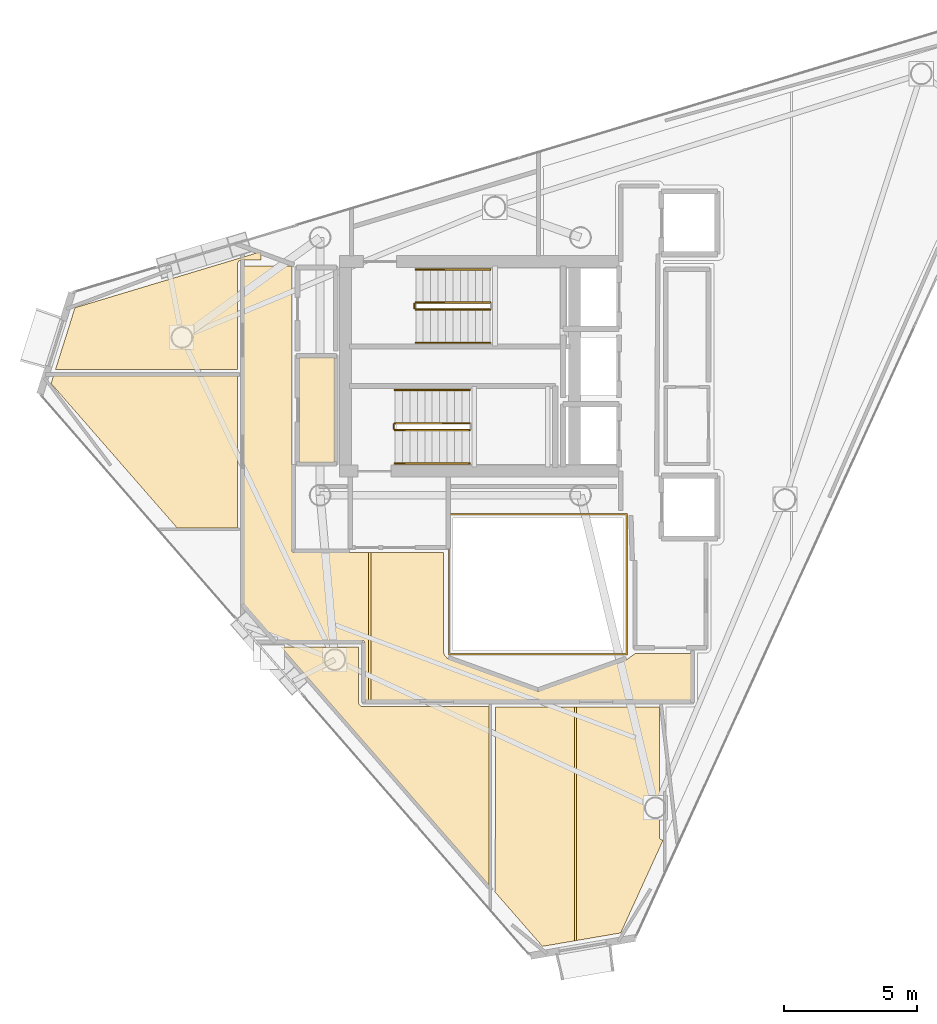
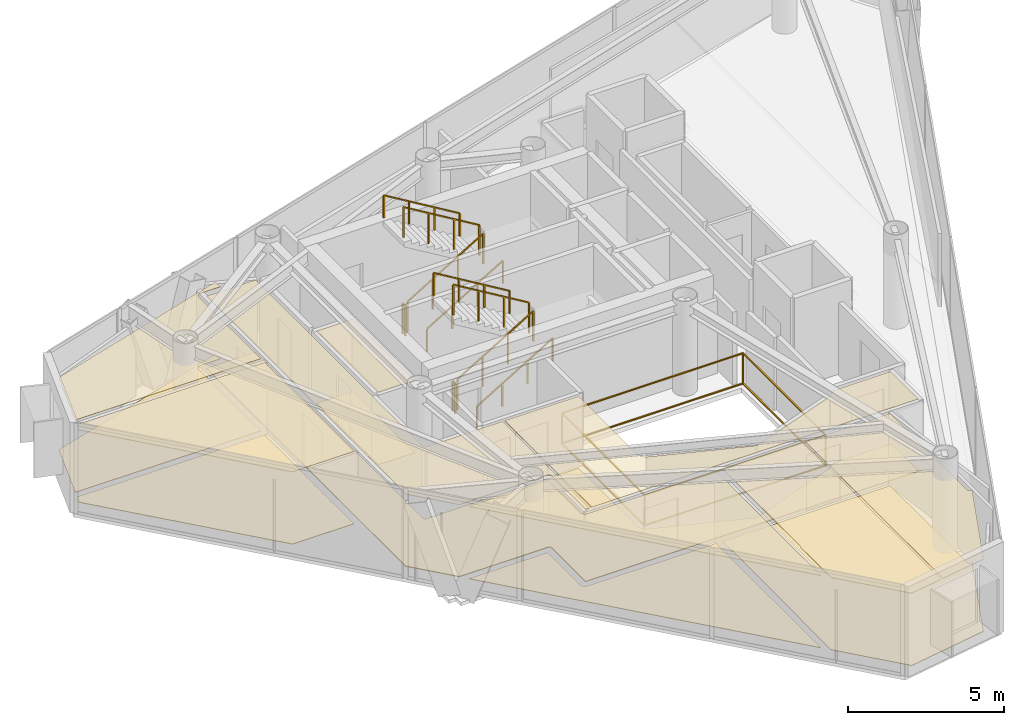
# One storey, part 18 of 19: 14 coverings, 11 railings.
"""IFC4 building model written with IfcOpenShell, lengths in metres."""

import ifcopenshell
import ifcopenshell.guid

model = None  # the IFC model being written
_history = None  # IfcOwnerHistory: only IFC2X3 demands one
_inside = {}  # id of a spatial element -> (the spatial element, [elements in it])
_under = {}  # id of a project, library or spatial element -> (it, [spatial elements below it])
_declared = {}  # id of a project -> (the project, [libraries it declares])
_typed = {}  # id of a type object -> (the type object, [elements of that type])
_made_of = {}  # id of a material, layer set ... -> (it, [elements and type objects made of it])


def new_model(schema):
    """Start an empty IFC model of exactly this schema.

    Asked for "IFC4X3", IfcOpenShell would pick the latest addendum, in which some entities
    have other attributes; the version numbers below select the first issue.
    IFC2X3 requires an IfcOwnerHistory on every rooted entity: one is made here for all.
    """
    global model, _history
    if schema == "IFC4X3":
        model = ifcopenshell.file(schema_version=(4, 3, 0, 0))
    else:
        model = ifcopenshell.file(schema=schema)
    _inside.clear()
    _under.clear()
    _declared.clear()
    _typed.clear()
    _made_of.clear()
    _history = None
    if model.schema == "IFC2X3":
        org = make("IfcOrganization", Name="unknown")
        user = make(
            "IfcPersonAndOrganization",
            ThePerson=make("IfcPerson", FamilyName="unknown"),
            TheOrganization=org,
        )
        app = make(
            "IfcApplication",
            ApplicationDeveloper=org,
            Version="unknown",
            ApplicationFullName="unknown",
            ApplicationIdentifier="unknown",
        )
        _history = make(
            "IfcOwnerHistory",
            OwningUser=user,
            OwningApplication=app,
            ChangeAction="ADDED",
            CreationDate=0,
        )
    return model


def make(cls, **values):
    """One entity of the class cls with the attributes given. An attribute that is None is left unset."""
    return model.create_entity(
        cls, **{name: value for name, value in values.items() if value is not None}
    )


def rooted(cls, **values):
    """An entity with a GlobalId (a new one), such as an element, a storey or a relation."""
    return make(cls, GlobalId=ifcopenshell.guid.new(), OwnerHistory=_history, **values)


def si_unit(unit_type, name, prefix=None):
    """IfcSIUnit, for example si_unit("LENGTHUNIT", "METRE", prefix="MILLI")."""
    return make("IfcSIUnit", UnitType=unit_type, Prefix=prefix, Name=name)


def assignment(units):
    """IfcUnitAssignment: the units of a project."""
    return None if units is None else make("IfcUnitAssignment", Units=units)


def point(xyz):
    """IfcCartesianPoint."""
    return None if xyz is None else make("IfcCartesianPoint", Coordinates=xyz)


def direction(xyz):
    """IfcDirection."""
    return None if xyz is None else make("IfcDirection", DirectionRatios=xyz)


def frame(location, z_axis=None, x_axis=None):
    """IfcAxis2Placement3D, a coordinate frame: its origin and axes. An axis left out is left unset."""
    return make(
        "IfcAxis2Placement3D",
        Location=point(location),
        Axis=direction(z_axis),
        RefDirection=direction(x_axis),
    )


def frame_2d(location, x_axis=None):
    """IfcAxis2Placement2D, a coordinate frame in the plane: its origin and x axis."""
    return make(
        "IfcAxis2Placement2D", Location=point(location), RefDirection=direction(x_axis)
    )


def origin():
    """The frame at (0, 0, 0) with its axes left unset."""
    return frame((0.0, 0.0, 0.0))


def origin_2d():
    """The frame at (0, 0) in the plane with its x axis left unset."""
    return frame_2d((0.0, 0.0))


def place(relative_to, where):
    """IfcLocalPlacement: puts the frame where relative to a parent placement (None: the world)."""
    return make(
        "IfcLocalPlacement", PlacementRelTo=relative_to, RelativePlacement=where
    )


def context(
    kind, dimensions, precision=None, world=None, true_north=None, identifier=None
):
    """IfcGeometricRepresentationContext, for example the 3D "Model" context."""
    return make(
        "IfcGeometricRepresentationContext",
        ContextIdentifier=identifier,
        ContextType=kind,
        CoordinateSpaceDimension=dimensions,
        Precision=precision,
        WorldCoordinateSystem=world,
        TrueNorth=true_north,
    )


def subcontext(parent, identifier, kind, view, scale=None):
    """IfcGeometricRepresentationSubContext, for example "Body" below "Model"."""
    return make(
        "IfcGeometricRepresentationSubContext",
        ContextIdentifier=identifier,
        ContextType=kind,
        ParentContext=parent,
        TargetScale=scale,
        TargetView=view,
    )


def project(units=None, contexts=None):
    """IfcProject with its units and contexts."""
    return rooted(
        "IfcProject",
        Name="project",
        RepresentationContexts=contexts,
        UnitsInContext=assignment(units),
    )


def spatial(cls, under=None, at=None, **own):
    """A site, building, storey or space (cls), placed at a placement, below another one or the project."""
    s = rooted(cls, ObjectPlacement=at, **own)
    if under is not None:
        _under.setdefault(under.id(), (under, []))[1].append(s)
    return s


def polyline(points):
    """IfcPolyline through the points."""
    return make("IfcPolyline", Points=[point(p) for p in points])


def profile(cls, at=None, kind="AREA", **sizes):
    """A parametric profile (cls). Its sizes go by their IFC names, for example OverallWidth=200.0."""
    return make(cls, ProfileType=kind, Position=at, **sizes)


def rectangle(**sizes):
    """IfcRectangleProfileDef."""
    return profile("IfcRectangleProfileDef", **sizes)


def outline(outer, holes=None, kind="AREA"):
    """IfcArbitraryClosedProfileDef: a profile drawn as a closed curve; with holes, ...WithVoids."""
    if holes is None:
        return make("IfcArbitraryClosedProfileDef", ProfileType=kind, OuterCurve=outer)
    return make(
        "IfcArbitraryProfileDefWithVoids",
        ProfileType=kind,
        OuterCurve=outer,
        InnerCurves=holes,
    )


def extrude(swept, where, along, depth):
    """IfcExtrudedAreaSolid: the profile swept, set in the frame where, extruded along a direction by depth."""
    return make(
        "IfcExtrudedAreaSolid",
        SweptArea=swept,
        Position=where,
        ExtrudedDirection=direction(along),
        Depth=depth,
    )


def shape(context_of_items, identifier, shape_type, items):
    """IfcShapeRepresentation: the items that make up one representation, for example the "Body"."""
    return make(
        "IfcShapeRepresentation",
        ContextOfItems=context_of_items,
        RepresentationIdentifier=identifier,
        RepresentationType=shape_type,
        Items=items,
    )


def material(Name=None, Category=None):
    """IfcMaterial."""
    return make("IfcMaterial", Name=Name, Category=Category)


def layer(
    of_material, thickness, ventilated=None, Name=None, Category=None, Priority=None
):
    """IfcMaterialLayer: one layer of a wall or slab, of a material (None: an air gap)."""
    return make(
        "IfcMaterialLayer",
        Material=of_material,
        LayerThickness=thickness,
        IsVentilated=ventilated,
        Name=Name,
        Category=Category,
        Priority=Priority,
    )


def layer_set(layers, Name=None):
    """IfcMaterialLayerSet."""
    return make("IfcMaterialLayerSet", MaterialLayers=layers, LayerSetName=Name)


def made_of(thing, what):
    """Note that an element or type object is made of a material, layer set ...; save() writes the relation."""
    if what is not None:
        _made_of.setdefault(what.id(), (what, []))[1].append(thing)
    return thing


def type_object(cls, material=None, **own):
    """A type object (cls), such as IfcWallType, which elements share."""
    return made_of(rooted(cls, **own), material)


def element(
    cls,
    number,
    at=None,
    inside=None,
    cuts=None,
    type_object=None,
    material=None,
    context=None,
    identifier="Body",
    shape_type=None,
    held_by="IfcProductDefinitionShape",
    body=None,
    shapes=None,
    **own,
):
    """One element of the class cls, such as IfcWall. Its Tag is "e" and its number.

    at: its placement. inside: the storey or other place that contains it. cuts: it is an
    opening in that element (IfcRelVoidsElement). A single representation is given by context,
    identifier, shape_type and body (its items); several are given by shapes. held_by: the class
    of the entity that holds the representations. save() writes the other relations.
    """
    e = rooted(cls, Tag="e%d" % number, ObjectPlacement=at, **own)
    if body is not None:
        shapes = [shape(context, identifier, shape_type, body)]
    if shapes is not None:
        e.Representation = make(held_by, Representations=shapes)
    if inside is not None:
        _inside.setdefault(inside.id(), (inside, []))[1].append(e)
    if cuts is not None:
        rooted(
            "IfcRelVoidsElement", RelatingBuildingElement=cuts, RelatedOpeningElement=e
        )
    if type_object is not None:
        _typed.setdefault(type_object.id(), (type_object, []))[1].append(e)
    return made_of(e, material)


def aggregate(whole, parts):
    """IfcRelAggregates: a whole, such as a stair, and the parts it consists of."""
    return rooted("IfcRelAggregates", RelatingObject=whole, RelatedObjects=parts)


def save(model, path):
    """Write the relations noted so far, then the file.

    IfcRelAggregates (storeys below a building ...), IfcRelContainedInSpatialStructure (elements
    in a storey), IfcRelDefinesByType, IfcRelAssociatesMaterial and IfcRelDeclares: one each for
    every whole, place, type object, material and project.
    """
    for whole, parts in _under.values():
        aggregate(whole, parts)
    for where, things in _inside.values():
        rooted(
            "IfcRelContainedInSpatialStructure",
            RelatedElements=things,
            RelatingStructure=where,
        )
    for kind, things in _typed.values():
        rooted("IfcRelDefinesByType", RelatedObjects=things, RelatingType=kind)
    for what, things in _made_of.values():
        rooted("IfcRelAssociatesMaterial", RelatedObjects=things, RelatingMaterial=what)
    for by, libraries in _declared.values():
        rooted("IfcRelDeclares", RelatingContext=by, RelatedDefinitions=libraries)
    model.write(path)


model = new_model("IFC4")

# Units and contexts
model_context = context("Model", 3, precision=1e-05, world=origin(), true_north=direction((0.0, 1.0)))
body_context = subcontext(model_context, "Body", "Model", "MODEL_VIEW")
ifc_project = project(units=[si_unit("LENGTHUNIT", "METRE"), si_unit("AREAUNIT", "SQUARE_METRE"), si_unit("VOLUMEUNIT", "CUBIC_METRE"), si_unit("PLANEANGLEUNIT", "RADIAN"), si_unit("MASSUNIT", "GRAM", prefix="KILO")], contexts=[model_context])

# Site, building, storey
site_placement = place(None, origin())
site = spatial("IfcSite", under=ifc_project, at=site_placement, CompositionType="ELEMENT")
building_placement = place(site_placement, origin())
building = spatial("IfcBuilding", under=site, at=building_placement, Name="Qianvela Tower", CompositionType="ELEMENT")
storey_placement = place(building_placement, frame((0.0, 0.0, 325.89990234375)))
storey = spatial("IfcBuildingStorey", under=building, at=storey_placement, Name="L84", CompositionType="ELEMENT", Elevation=325.89990234375)

# Coverings
ifc_material_1 = material(Name="Perforated Mineral Acoustic Ceiling Tile")
ifc_layer_1 = layer(ifc_material_1, 0.02490234375)
ifc_layer_set_1 = layer_set([ifc_layer_1], Name="Perforated Mineral Acoustic Ceiling Tile")
covering_type_1 = type_object("IfcCoveringType", Name="COV-CEIL-ACOUSTIC-25", PredefinedType="CEILING", material=ifc_layer_set_1)
covering_1_placement = place(storey_placement, frame((0.0, 0.0, 2.815185546875)))
element("IfcCovering", 1, at=covering_1_placement, inside=storey, type_object=covering_type_1, Name="L84 Acoustic Ceiling L84 Core Tea Pantry West", PredefinedType="CEILING", context=body_context, shape_type="SweptSolid", body=[
    extrude(outline(polyline([(27.800048828125, 25.080078125), (27.800048828125, 29.0400390625), (29.139892578125, 29.0400390625), (29.139892578125, 25.080078125), (27.800048828125, 25.080078125)])), origin(), (0.0, 0.0, 1.0), 0.02490234375),
])
covering_2_placement = place(storey_placement, frame((0.0, 0.0, 2.815185546875)))
element("IfcCovering", 2, at=covering_2_placement, inside=storey, type_object=covering_type_1, Name="L84 Acoustic Ceiling Bay 1 L84 Floor Corridor", PredefinedType="CEILING", context=body_context, shape_type="SweptSolid", body=[
    extrude(outline(polyline([(27.540283203125, 21.772216796875), (27.54150390625, 21.764404296875), (27.54345703125, 21.7568359375), (27.546142578125, 21.74951171875), (27.54931640625, 21.7421875), (27.553466796875, 21.735595703125), (27.55810546875, 21.729248046875), (27.5634765625, 21.723388671875), (27.569091796875, 21.71826171875), (27.57568359375, 21.71337890625), (27.582275390625, 21.70947265625), (27.58935546875, 21.7060546875), (27.5966796875, 21.703369140625), (27.6044921875, 21.701416015625), (27.6123046875, 21.700439453125), (27.6201171875, 21.699951171875), (30.430419921875, 21.699951171875), (30.430419921875, 16.1298828125), (30.280029296875, 16.1298828125), (30.280029296875, 18.300048828125), (30.279541015625, 18.307861328125), (30.278564453125, 18.315673828125), (30.276611328125, 18.3232421875), (30.27392578125, 18.33056640625), (30.2705078125, 18.337646484375), (30.2666015625, 18.344482421875), (30.26171875, 18.350830078125), (30.256591796875, 18.356689453125), (30.250732421875, 18.36181640625), (30.244384765625, 18.366455078125), (30.23779296875, 18.37060546875), (30.230712890625, 18.373779296875), (30.22314453125, 18.376708984375), (30.215576171875, 18.37841796875), (30.207763671875, 18.379638671875), (30.199951171875, 18.3798828125), (26.9208984375, 18.3798828125), (25.72998046875, 19.744140625), (25.72998046875, 32.469970703125), (27.5400390625, 32.469970703125), (27.5400390625, 21.780029296875), (27.540283203125, 21.772216796875)])), origin(), (0.0, 0.0, 1.0), 0.02490234375),
])
covering_3_placement = place(storey_placement, frame((0.0, 0.0, 2.815185546875)))
element("IfcCovering", 3, at=covering_3_placement, inside=storey, type_object=covering_type_1, Name="L84 Acoustic Ceiling Bay 2 L84 Floor Corridor", PredefinedType="CEILING", context=body_context, shape_type="SweptSolid", body=[
    extrude(outline(polyline([(33.239990234375, 21.699951171875), (33.239990234375, 18.0), (33.240478515625, 17.990234375), (33.242431640625, 17.980712890625), (33.275390625, 17.8486328125), (33.277587890625, 17.841064453125), (33.28076171875, 17.833740234375), (33.284423828125, 17.826904296875), (33.288818359375, 17.8203125), (33.293701171875, 17.814208984375), (33.38525390625, 17.71337890625), (33.390625, 17.7080078125), (33.396728515625, 17.702880859375), (33.4033203125, 17.698486328125), (33.41015625, 17.69482421875), (33.417236328125, 17.69189453125), (36.77294921875, 16.482666015625), (36.780517578125, 16.48046875), (36.7880859375, 16.47900390625), (36.7958984375, 16.47802734375), (36.8037109375, 16.47802734375), (36.811767578125, 16.47900390625), (36.8193359375, 16.48046875), (36.826904296875, 16.482666015625), (40.134033203125, 17.666015625), (40.140869140625, 17.668701171875), (40.1474609375, 17.672119140625), (40.153564453125, 17.676025390625), (40.458740234375, 17.89306640625), (42.570068359375, 17.899658203125), (42.570068359375, 16.1298828125), (30.510498046875, 16.1298828125), (30.510498046875, 21.699951171875), (33.239990234375, 21.699951171875)])), origin(), (0.0, 0.0, 1.0), 0.02490234375),
])
covering_4_placement = place(storey_placement, frame((0.0, 0.0, 2.815185546875)))
element("IfcCovering", 4, at=covering_4_placement, inside=storey, type_object=covering_type_1, Name="L84 Acoustic Ceiling Commons Day Lounge L84-01", PredefinedType="CEILING", context=body_context, shape_type="SweptSolid", body=[
    extrude(outline(polyline([(23.2177734375, 22.6220703125), (18.47509765625, 28.0546875), (18.56689453125, 28.34619140625), (25.489990234375, 28.34619140625), (25.489990234375, 22.6220703125), (23.2177734375, 22.6220703125)])), origin(), (0.0, 0.0, 1.0), 0.02490234375),
])
covering_5_placement = place(storey_placement, frame((0.0, 0.0, 2.815185546875)))
element("IfcCovering", 5, at=covering_5_placement, inside=storey, type_object=covering_type_1, Name="L84 Acoustic Ceiling Quiet Reading Study L84-02", PredefinedType="CEILING", context=body_context, shape_type="SweptSolid", body=[
    extrude(outline(polyline([(30.0400390625, 18.139892578125), (30.0400390625, 16.050048828125), (30.040283203125, 16.042236328125), (30.04150390625, 16.034423828125), (30.04345703125, 16.02685546875), (30.046142578125, 16.019287109375), (30.04931640625, 16.01220703125), (30.053466796875, 16.005615234375), (30.05810546875, 15.999267578125), (30.12255859375, 15.9208984375), (30.127685546875, 15.9150390625), (30.133544921875, 15.90966796875), (30.139892578125, 15.905029296875), (30.146728515625, 15.90087890625), (30.15380859375, 15.897705078125), (30.1611328125, 15.89501953125), (30.168701171875, 15.89306640625), (30.176513671875, 15.891845703125), (30.184326171875, 15.8916015625), (34.954345703125, 15.890869140625), (34.954345703125, 9.177490234375), (27.13037109375, 18.139892578125), (30.0400390625, 18.139892578125)])), origin(), (0.0, 0.0, 1.0), 0.02490234375),
])
covering_6_placement = place(storey_placement, frame((0.0, 0.0, 2.815185546875)))
element("IfcCovering", 6, at=covering_6_placement, inside=storey, type_object=covering_type_1, Name="L84 Acoustic Ceiling Bay 1 Stationery Supply Boutique L84-03", PredefinedType="CEILING", context=body_context, shape_type="SweptSolid", body=[
    extrude(outline(polyline([(35.176513671875, 10.91015625), (35.181396484375, 10.916015625), (35.185791015625, 10.922119140625), (35.189697265625, 10.9287109375), (35.192626953125, 10.935546875), (35.1953125, 10.942626953125), (35.197021484375, 10.949951171875), (35.197998046875, 10.95751953125), (35.198486328125, 10.965087890625), (35.198486328125, 15.889892578125), (38.169921875, 15.889892578125), (38.169921875, 7.078125), (36.96728515625, 6.871826171875), (35.169189453125, 8.931396484375), (35.17236328125, 8.93896484375), (35.174560546875, 8.947265625), (35.17578125, 8.95556640625), (35.176513671875, 8.964111328125), (35.176513671875, 10.909912109375), (35.176513671875, 10.91015625)])), origin(), (0.0, 0.0, 1.0), 0.02490234375),
])
covering_7_placement = place(storey_placement, frame((0.0, 0.0, 2.815185546875)))
element("IfcCovering", 7, at=covering_7_placement, inside=storey, type_object=covering_type_1, Name="L84 Acoustic Ceiling Bay 2 Stationery Supply Boutique L84-03", PredefinedType="CEILING", context=body_context, shape_type="SweptSolid", body=[
    extrude(outline(polyline([(41.3779296875, 15.889892578125), (41.3779296875, 10.965087890625), (41.37841796875, 10.956787109375), (41.379638671875, 10.94873046875), (41.381591796875, 10.94091796875), (41.384521484375, 10.93310546875), (41.38818359375, 10.92578125), (41.392578125, 10.9189453125), (41.3974609375, 10.91259765625), (41.4033203125, 10.90673828125), (41.409423828125, 10.9013671875), (41.416015625, 10.896728515625), (41.42333984375, 10.892822265625), (41.430908203125, 10.8896484375), (41.438720703125, 10.887451171875), (41.50439453125, 10.870849609375), (41.50732421875, 10.868408203125), (39.914306640625, 7.377197265625), (38.25, 7.091796875), (38.25, 15.889892578125), (41.3779296875, 15.889892578125)])), origin(), (0.0, 0.0, 1.0), 0.02490234375),
])
covering_8_placement = place(storey_placement, frame((0.0, 0.0, 2.815185546875)))
element("IfcCovering", 8, at=covering_8_placement, inside=storey, type_object=covering_type_1, Name="L84 Acoustic Ceiling Campus Convenience Shop L84-05", PredefinedType="CEILING", context=body_context, shape_type="SweptSolid", body=[
    extrude(outline(polyline([(25.49609375, 32.58056640625), (25.493408203125, 32.5732421875), (25.491455078125, 32.565673828125), (25.490478515625, 32.557861328125), (25.489990234375, 32.550048828125), (25.489990234375, 28.59033203125), (18.643798828125, 28.59033203125), (19.373779296875, 30.90673828125), (26.3779296875, 33.01708984375), (26.3779296875, 32.7099609375), (25.64990234375, 32.7099609375), (25.64208984375, 32.709716796875), (25.634521484375, 32.70849609375), (25.626708984375, 32.70654296875), (25.619384765625, 32.703857421875), (25.562744140625, 32.680419921875), (25.5556640625, 32.677001953125), (25.549072265625, 32.673095703125), (25.542724609375, 32.66845703125), (25.536865234375, 32.6630859375), (25.531494140625, 32.6572265625), (25.52685546875, 32.65087890625), (25.52294921875, 32.644287109375), (25.51953125, 32.63720703125), (25.49609375, 32.58056640625)])), origin(), (0.0, 0.0, 1.0), 0.02490234375),
])
ifc_material_2 = material(Name="Engineered Acoustic Oak Timber Flooring", Category="wood")
ifc_layer_2 = layer(ifc_material_2, 0.02001953125)
ifc_layer_set_2 = layer_set([ifc_layer_2], Name="Engineered Acoustic Oak Timber Flooring")
covering_type_2 = type_object("IfcCoveringType", Name="COV-FLOOR-OAK-20", PredefinedType="FLOORING", material=ifc_layer_set_2)
covering_9_placement = place(storey_placement, origin())
element("IfcCovering", 9, at=covering_9_placement, inside=storey, type_object=covering_type_2, Name="L84 Finish Flooring L84 Core Tea Pantry West", PredefinedType="FLOORING", context=body_context, shape_type="SweptSolid", body=[
    extrude(outline(polyline([(27.800048828125, 25.080078125), (27.800048828125, 29.0400390625), (29.139892578125, 29.0400390625), (29.139892578125, 25.080078125), (27.800048828125, 25.080078125)])), origin(), (0.0, 0.0, 1.0), 0.02001953125),
])
covering_10_placement = place(storey_placement, origin())
element("IfcCovering", 10, at=covering_10_placement, inside=storey, type_object=covering_type_2, Name="L84 Finish Flooring Commons Day Lounge L84-01", PredefinedType="FLOORING", context=body_context, shape_type="SweptSolid", body=[
    extrude(outline(polyline([(23.2177734375, 22.6220703125), (18.47509765625, 28.0546875), (18.56689453125, 28.34619140625), (25.489990234375, 28.34619140625), (25.489990234375, 22.6220703125), (23.2177734375, 22.6220703125)])), origin(), (0.0, 0.0, 1.0), 0.02001953125),
])
covering_11_placement = place(storey_placement, origin())
element("IfcCovering", 11, at=covering_11_placement, inside=storey, type_object=covering_type_2, Name="L84 Finish Flooring Quiet Reading Study L84-02", PredefinedType="FLOORING", context=body_context, shape_type="SweptSolid", body=[
    extrude(outline(polyline([(30.0400390625, 18.139892578125), (30.0400390625, 16.050048828125), (30.040283203125, 16.042236328125), (30.04150390625, 16.034423828125), (30.04345703125, 16.02685546875), (30.046142578125, 16.019287109375), (30.04931640625, 16.01220703125), (30.053466796875, 16.005615234375), (30.05810546875, 15.999267578125), (30.12255859375, 15.9208984375), (30.127685546875, 15.9150390625), (30.133544921875, 15.90966796875), (30.139892578125, 15.905029296875), (30.146728515625, 15.90087890625), (30.15380859375, 15.897705078125), (30.1611328125, 15.89501953125), (30.168701171875, 15.89306640625), (30.176513671875, 15.891845703125), (30.184326171875, 15.8916015625), (34.954345703125, 15.890869140625), (34.954345703125, 9.177490234375), (27.13037109375, 18.139892578125), (30.0400390625, 18.139892578125)])), origin(), (0.0, 0.0, 1.0), 0.02001953125),
])
covering_12_placement = place(storey_placement, origin())
element("IfcCovering", 12, at=covering_12_placement, inside=storey, type_object=covering_type_2, Name="L84 Finish Flooring Stationery Supply Boutique L84-03", PredefinedType="FLOORING", context=body_context, shape_type="SweptSolid", body=[
    extrude(outline(polyline([(35.176513671875, 10.909912109375), (35.176513671875, 10.91015625), (35.181396484375, 10.916015625), (35.185791015625, 10.922119140625), (35.189697265625, 10.9287109375), (35.192626953125, 10.935546875), (35.1953125, 10.942626953125), (35.197021484375, 10.949951171875), (35.197998046875, 10.95751953125), (35.198486328125, 10.965087890625), (35.198486328125, 15.889892578125), (41.3779296875, 15.889892578125), (41.3779296875, 10.965087890625), (41.37841796875, 10.956787109375), (41.379638671875, 10.94873046875), (41.381591796875, 10.94091796875), (41.384521484375, 10.93310546875), (41.38818359375, 10.92578125), (41.392578125, 10.9189453125), (41.3974609375, 10.91259765625), (41.4033203125, 10.90673828125), (41.409423828125, 10.9013671875), (41.416015625, 10.896728515625), (41.42333984375, 10.892822265625), (41.430908203125, 10.8896484375), (41.438720703125, 10.887451171875), (41.50439453125, 10.870849609375), (41.50732421875, 10.868408203125), (39.914306640625, 7.377197265625), (36.96728515625, 6.871826171875), (35.169189453125, 8.931396484375), (35.17236328125, 8.93896484375), (35.174560546875, 8.947265625), (35.17578125, 8.95556640625), (35.176513671875, 8.964111328125), (35.176513671875, 10.909912109375)])), origin(), (0.0, 0.0, 1.0), 0.02001953125),
])
covering_13_placement = place(storey_placement, origin())
element("IfcCovering", 13, at=covering_13_placement, inside=storey, type_object=covering_type_2, Name="L84 Finish Flooring Campus Convenience Shop L84-05", PredefinedType="FLOORING", context=body_context, shape_type="SweptSolid", body=[
    extrude(outline(polyline([(25.49609375, 32.58056640625), (25.493408203125, 32.5732421875), (25.491455078125, 32.565673828125), (25.490478515625, 32.557861328125), (25.489990234375, 32.550048828125), (25.489990234375, 28.59033203125), (18.643798828125, 28.59033203125), (19.373779296875, 30.90673828125), (26.3779296875, 33.01708984375), (26.3779296875, 32.7099609375), (25.64990234375, 32.7099609375), (25.64208984375, 32.709716796875), (25.634521484375, 32.70849609375), (25.626708984375, 32.70654296875), (25.619384765625, 32.703857421875), (25.562744140625, 32.680419921875), (25.5556640625, 32.677001953125), (25.549072265625, 32.673095703125), (25.542724609375, 32.66845703125), (25.536865234375, 32.6630859375), (25.531494140625, 32.6572265625), (25.52685546875, 32.65087890625), (25.52294921875, 32.644287109375), (25.51953125, 32.63720703125), (25.49609375, 32.58056640625)])), origin(), (0.0, 0.0, 1.0), 0.02001953125),
])
ifc_material_3 = material(Name="Honed Stone Terrazzo Flooring", Category="masonry")
ifc_layer_3 = layer(ifc_material_3, 0.030029296875)
ifc_layer_set_3 = layer_set([ifc_layer_3], Name="Honed Stone Terrazzo Flooring")
covering_type_3 = type_object("IfcCoveringType", Name="COV-FLOOR-TERRAZZO-30", PredefinedType="FLOORING", material=ifc_layer_set_3)
covering_14_placement = place(storey_placement, origin())
element("IfcCovering", 14, at=covering_14_placement, inside=storey, type_object=covering_type_3, Name="L84 Finish Flooring L84 Floor Corridor", PredefinedType="FLOORING", context=body_context, shape_type="SweptSolid", body=[
    extrude(outline(polyline([(27.5400390625, 21.780029296875), (27.540283203125, 21.772216796875), (27.54150390625, 21.764404296875), (27.54345703125, 21.7568359375), (27.546142578125, 21.74951171875), (27.54931640625, 21.7421875), (27.553466796875, 21.735595703125), (27.55810546875, 21.729248046875), (27.5634765625, 21.723388671875), (27.569091796875, 21.71826171875), (27.57568359375, 21.71337890625), (27.582275390625, 21.70947265625), (27.58935546875, 21.7060546875), (27.5966796875, 21.703369140625), (27.6044921875, 21.701416015625), (27.6123046875, 21.700439453125), (27.6201171875, 21.699951171875), (33.239990234375, 21.699951171875), (33.239990234375, 18.0), (33.240478515625, 17.990234375), (33.242431640625, 17.980712890625), (33.275390625, 17.8486328125), (33.277587890625, 17.841064453125), (33.28076171875, 17.833740234375), (33.284423828125, 17.826904296875), (33.288818359375, 17.8203125), (33.293701171875, 17.814208984375), (33.38525390625, 17.71337890625), (33.390625, 17.7080078125), (33.396728515625, 17.702880859375), (33.4033203125, 17.698486328125), (33.41015625, 17.69482421875), (33.417236328125, 17.69189453125), (36.77294921875, 16.482666015625), (36.780517578125, 16.48046875), (36.7880859375, 16.47900390625), (36.7958984375, 16.47802734375), (36.8037109375, 16.47802734375), (36.811767578125, 16.47900390625), (36.8193359375, 16.48046875), (36.826904296875, 16.482666015625), (40.134033203125, 17.666015625), (40.140869140625, 17.668701171875), (40.1474609375, 17.672119140625), (40.153564453125, 17.676025390625), (40.458740234375, 17.89306640625), (42.570068359375, 17.899658203125), (42.570068359375, 16.1298828125), (30.280029296875, 16.1298828125), (30.280029296875, 18.300048828125), (30.279541015625, 18.307861328125), (30.278564453125, 18.315673828125), (30.276611328125, 18.3232421875), (30.27392578125, 18.33056640625), (30.2705078125, 18.337646484375), (30.2666015625, 18.344482421875), (30.26171875, 18.350830078125), (30.256591796875, 18.356689453125), (30.250732421875, 18.36181640625), (30.244384765625, 18.366455078125), (30.23779296875, 18.37060546875), (30.230712890625, 18.373779296875), (30.22314453125, 18.376708984375), (30.215576171875, 18.37841796875), (30.207763671875, 18.379638671875), (30.199951171875, 18.3798828125), (26.9208984375, 18.3798828125), (25.72998046875, 19.744140625), (25.72998046875, 32.469970703125), (27.5400390625, 32.469970703125), (27.5400390625, 21.780029296875)])), origin(), (0.0, 0.0, 1.0), 0.030029296875),
])

# Railings
ifc_material_4 = material(Name="Laminated Safety Glass and Stainless Steel 316", Category="steel")
railing_type_1 = type_object("IfcRailingType", Name="RL-ATRIUM-GUARD-1250", PredefinedType="GUARDRAIL", material=ifc_material_4)
railing_1_placement = place(storey_placement, frame((33.4599609375, 17.860107421875, 0.0)))
element("IfcRailing", 15, at=railing_1_placement, inside=storey, type_object=railing_type_1, Name="L84 Atrium Edge Guardrail 1", PredefinedType="GUARDRAIL", context=body_context, shape_type="SweptSolid", body=[
    extrude(rectangle(XDim=0.050048828125, YDim=0.0400390625, at=origin_2d()), frame((0.0, 0.0, 1.22998046875), z_axis=(0.0, 1.0, 0.0), x_axis=(-1.0, 0.0, 0.0)), (0.0, 0.0, 1.0), 5.27978515625),
    extrude(rectangle(XDim=0.050048828125, YDim=0.0400390625, at=origin_2d()), frame((0.0, 0.0, 0.050048828125), z_axis=(0.0, 1.0, 0.0), x_axis=(-1.0, 0.0, 0.0)), (0.0, 0.0, 1.0), 5.27978515625),
    extrude(rectangle(XDim=0.050048828125, YDim=0.0400390625, at=origin_2d()), frame((0.0, 5.27978515625, 1.22998046875), z_axis=(1.0, 0.0, 0.0), x_axis=(0.0, 1.0, 0.0)), (0.0, 0.0, 1.0), 6.679931640625),
    extrude(rectangle(XDim=0.050048828125, YDim=0.0400390625, at=origin_2d()), frame((0.0, 5.27978515625, 0.050048828125), z_axis=(1.0, 0.0, 0.0), x_axis=(0.0, 1.0, 0.0)), (0.0, 0.0, 1.0), 6.679931640625),
    extrude(rectangle(XDim=0.050048828125, YDim=0.0400390625, at=origin_2d()), frame((6.679931640625, 5.27978515625, 1.22998046875), z_axis=(0.0, -1.0, 0.0), x_axis=(1.0, 0.0, 0.0)), (0.0, 0.0, 1.0), 5.27978515625),
    extrude(rectangle(XDim=0.050048828125, YDim=0.0400390625, at=origin_2d()), frame((6.679931640625, 5.27978515625, 0.050048828125), z_axis=(0.0, -1.0, 0.0), x_axis=(1.0, 0.0, 0.0)), (0.0, 0.0, 1.0), 5.27978515625),
    extrude(rectangle(XDim=0.050048828125, YDim=0.0400390625, at=origin_2d()), frame((6.679931640625, 0.0, 1.22998046875), z_axis=(-1.0, 0.0, 0.0), x_axis=(0.0, -1.0, 0.0)), (0.0, 0.0, 1.0), 6.679931640625),
    extrude(rectangle(XDim=0.050048828125, YDim=0.0400390625, at=origin_2d()), frame((6.679931640625, 0.0, 0.050048828125), z_axis=(-1.0, 0.0, 0.0), x_axis=(0.0, -1.0, 0.0)), (0.0, 0.0, 1.0), 6.679931640625),
    extrude(rectangle(XDim=0.050048828125, YDim=0.050048828125, at=origin_2d()), origin(), (0.0, 0.0, 1.0), 1.2099609375),
    extrude(rectangle(XDim=0.050048828125, YDim=0.050048828125, at=origin_2d()), frame((0.0, 5.27978515625, 0.0)), (0.0, 0.0, 1.0), 1.2099609375),
    extrude(rectangle(XDim=0.050048828125, YDim=0.050048828125, at=origin_2d()), frame((6.679931640625, 5.27978515625, 0.0)), (0.0, 0.0, 1.0), 1.2099609375),
    extrude(rectangle(XDim=0.050048828125, YDim=0.050048828125, at=origin_2d()), frame((6.679931640625, 0.0, 0.0)), (0.0, 0.0, 1.0), 1.2099609375),
])
ifc_material_5 = material(Name="Painted Tubular Steel Q355B", Category="steel")
railing_type_2 = type_object("IfcRailingType", Name="RL-STAIR-GUARD-1200", PredefinedType="GUARDRAIL", material=ifc_material_5)
railing_2_placement = place(storey_placement, frame((32.199951171875, 30.840087890625, 0.168212890625)))
element("IfcRailing", 16, at=railing_2_placement, inside=storey, type_object=railing_type_2, Name="L84 ST-1 stair guard 1", PredefinedType="GUARDRAIL", context=body_context, shape_type="SweptSolid", body=[
    extrude(rectangle(XDim=0.050048828125, YDim=0.0400390625, at=origin_2d()), frame((0.0, 0.0, 1.179931640625), z_axis=(0.857242210791, 0.0, 0.514913383045), x_axis=(0.0, 1.0, 0.0)), (0.0, 0.0, 1.0), 3.266357421875),
    extrude(rectangle(XDim=0.050048828125, YDim=0.050048828125, at=origin_2d()), origin(), (0.0, 0.0, 1.0), 1.159912109375),
    extrude(rectangle(XDim=0.050048828125, YDim=0.050048828125, at=origin_2d()), frame((0.933349609375, 0.0, 0.560546875)), (0.0, 0.0, 1.0), 1.159912109375),
    extrude(rectangle(XDim=0.050048828125, YDim=0.050048828125, at=origin_2d()), frame((1.86669921875, 0.0, 1.121337890625)), (0.0, 0.0, 1.0), 1.159912109375),
    extrude(rectangle(XDim=0.050048828125, YDim=0.050048828125, at=origin_2d()), frame((2.800048828125, 0.0, 1.681884765625)), (0.0, 0.0, 1.0), 1.159912109375),
])
railing_3_placement = place(storey_placement, frame((35.0, 31.10009765625, 2.018310546875)))
element("IfcRailing", 17, at=railing_3_placement, inside=storey, type_object=railing_type_2, Name="L84 ST-1 stair guard 3", PredefinedType="GUARDRAIL", context=body_context, shape_type="SweptSolid", body=[
    extrude(rectangle(XDim=0.050048828125, YDim=0.0400390625, at=origin_2d()), frame((0.0, 0.0, 1.179931640625), z_axis=(-0.857242210791, 0.0, 0.514913383045), x_axis=(0.0, -1.0, 0.0)), (0.0, 0.0, 1.0), 3.266357421875),
    extrude(rectangle(XDim=0.050048828125, YDim=0.050048828125, at=origin_2d()), origin(), (0.0, 0.0, 1.0), 1.159912109375),
    extrude(rectangle(XDim=0.050048828125, YDim=0.050048828125, at=origin_2d()), frame((-0.933349609375, 0.0, 0.560546875)), (0.0, 0.0, 1.0), 1.159912109375),
    extrude(rectangle(XDim=0.050048828125, YDim=0.050048828125, at=origin_2d()), frame((-1.86669921875, 0.0, 1.121337890625)), (0.0, 0.0, 1.0), 1.159912109375),
    extrude(rectangle(XDim=0.050048828125, YDim=0.050048828125, at=origin_2d()), frame((-2.800048828125, 0.0, 1.681884765625)), (0.0, 0.0, 1.0), 1.159912109375),
])
railing_4_placement = place(storey_placement, frame((32.14990234375, 30.889892578125, 0.0)))
element("IfcRailing", 18, at=railing_4_placement, inside=storey, type_object=railing_type_2, Name="L84 ST-1 stair guard 4", PredefinedType="GUARDRAIL", context=body_context, shape_type="SweptSolid", body=[
    extrude(rectangle(XDim=0.050048828125, YDim=0.0400390625, at=origin_2d()), frame((0.0, 0.0, 1.179931640625), z_axis=(0.0, 1.0, 0.0), x_axis=(-1.0, 0.0, 0.0)), (0.0, 0.0, 1.0), 0.16015625),
    extrude(rectangle(XDim=0.050048828125, YDim=0.050048828125, at=origin_2d()), origin(), (0.0, 0.0, 1.0), 1.159912109375),
    extrude(rectangle(XDim=0.050048828125, YDim=0.050048828125, at=origin_2d()), frame((0.0, 0.16015625, 0.0)), (0.0, 0.0, 1.0), 1.159912109375),
])
railing_5_placement = place(storey_placement, frame((31.419921875, 26.300048828125, 0.168212890625)))
element("IfcRailing", 19, at=railing_5_placement, inside=storey, type_object=railing_type_2, Name="L84 ST-2 stair guard 1", PredefinedType="GUARDRAIL", context=body_context, shape_type="SweptSolid", body=[
    extrude(rectangle(XDim=0.050048828125, YDim=0.0400390625, at=origin_2d()), frame((0.0, 0.0, 1.179931640625), z_axis=(0.857242210791, 0.0, 0.514913383045), x_axis=(0.0, 1.0, 0.0)), (0.0, 0.0, 1.0), 3.266357421875),
    extrude(rectangle(XDim=0.050048828125, YDim=0.050048828125, at=origin_2d()), origin(), (0.0, 0.0, 1.0), 1.159912109375),
    extrude(rectangle(XDim=0.050048828125, YDim=0.050048828125, at=origin_2d()), frame((0.933349609375, 0.0, 0.560546875)), (0.0, 0.0, 1.0), 1.159912109375),
    extrude(rectangle(XDim=0.050048828125, YDim=0.050048828125, at=origin_2d()), frame((1.86669921875, 0.0, 1.121337890625)), (0.0, 0.0, 1.0), 1.159912109375),
    extrude(rectangle(XDim=0.050048828125, YDim=0.050048828125, at=origin_2d()), frame((2.800048828125, 0.0, 1.681884765625)), (0.0, 0.0, 1.0), 1.159912109375),
])
railing_6_placement = place(storey_placement, frame((34.219970703125, 26.56005859375, 2.018310546875)))
element("IfcRailing", 20, at=railing_6_placement, inside=storey, type_object=railing_type_2, Name="L84 ST-2 stair guard 3", PredefinedType="GUARDRAIL", context=body_context, shape_type="SweptSolid", body=[
    extrude(rectangle(XDim=0.050048828125, YDim=0.0400390625, at=origin_2d()), frame((0.0, 0.0, 1.179931640625), z_axis=(-0.857242210791, 0.0, 0.514913383045), x_axis=(0.0, -1.0, 0.0)), (0.0, 0.0, 1.0), 3.266357421875),
    extrude(rectangle(XDim=0.050048828125, YDim=0.050048828125, at=origin_2d()), origin(), (0.0, 0.0, 1.0), 1.159912109375),
    extrude(rectangle(XDim=0.050048828125, YDim=0.050048828125, at=origin_2d()), frame((-0.933349609375, 0.0, 0.560546875)), (0.0, 0.0, 1.0), 1.159912109375),
    extrude(rectangle(XDim=0.050048828125, YDim=0.050048828125, at=origin_2d()), frame((-1.86669921875, 0.0, 1.121337890625)), (0.0, 0.0, 1.0), 1.159912109375),
    extrude(rectangle(XDim=0.050048828125, YDim=0.050048828125, at=origin_2d()), frame((-2.800048828125, 0.0, 1.681884765625)), (0.0, 0.0, 1.0), 1.159912109375),
])
railing_7_placement = place(storey_placement, frame((31.3701171875, 26.35009765625, 0.0)))
element("IfcRailing", 21, at=railing_7_placement, inside=storey, type_object=railing_type_2, Name="L84 ST-2 stair guard 4", PredefinedType="GUARDRAIL", context=body_context, shape_type="SweptSolid", body=[
    extrude(rectangle(XDim=0.050048828125, YDim=0.0400390625, at=origin_2d()), frame((0.0, 0.0, 1.179931640625), z_axis=(0.0, 1.0, 0.0), x_axis=(-1.0, 0.0, 0.0)), (0.0, 0.0, 1.0), 0.159912109375),
    extrude(rectangle(XDim=0.050048828125, YDim=0.050048828125, at=origin_2d()), origin(), (0.0, 0.0, 1.0), 1.159912109375),
    extrude(rectangle(XDim=0.050048828125, YDim=0.050048828125, at=origin_2d()), frame((0.0, 0.159912109375, 0.0)), (0.0, 0.0, 1.0), 1.159912109375),
])
ifc_material_6 = material(Name="Brushed Stainless Steel 304", Category="steel")
railing_type_3 = type_object("IfcRailingType", Name="RL-STAIR-HANDRAIL-900", PredefinedType="HANDRAIL", material=ifc_material_6)
railing_8_placement = place(storey_placement, frame((32.199951171875, 29.590087890625, 0.168212890625)))
element("IfcRailing", 22, at=railing_8_placement, inside=storey, type_object=railing_type_3, Name="L84 ST-1 stair handrail 1", PredefinedType="HANDRAIL", context=body_context, shape_type="SweptSolid", body=[
    extrude(rectangle(XDim=0.050048828125, YDim=0.0400390625, at=origin_2d()), frame((0.0, 0.0, 0.8798828125), z_axis=(0.857242210791, 0.0, 0.514913383045), x_axis=(0.0, 1.0, 0.0)), (0.0, 0.0, 1.0), 3.266357421875),
    extrude(rectangle(XDim=0.050048828125, YDim=0.050048828125, at=origin_2d()), origin(), (0.0, 0.0, 1.0), 0.85986328125),
    extrude(rectangle(XDim=0.050048828125, YDim=0.050048828125, at=origin_2d()), frame((0.933349609375, 0.0, 0.560546875)), (0.0, 0.0, 1.0), 0.85986328125),
    extrude(rectangle(XDim=0.050048828125, YDim=0.050048828125, at=origin_2d()), frame((1.86669921875, 0.0, 1.121337890625)), (0.0, 0.0, 1.0), 0.85986328125),
    extrude(rectangle(XDim=0.050048828125, YDim=0.050048828125, at=origin_2d()), frame((2.800048828125, 0.0, 1.681884765625)), (0.0, 0.0, 1.0), 0.85986328125),
])
railing_9_placement = place(storey_placement, frame((35.0, 32.35009765625, 2.018310546875)))
element("IfcRailing", 23, at=railing_9_placement, inside=storey, type_object=railing_type_3, Name="L84 ST-1 stair handrail 2", PredefinedType="HANDRAIL", context=body_context, shape_type="SweptSolid", body=[
    extrude(rectangle(XDim=0.050048828125, YDim=0.0400390625, at=origin_2d()), frame((0.0, 0.0, 0.8798828125), z_axis=(-0.857242210791, 0.0, 0.514913383045), x_axis=(0.0, -1.0, 0.0)), (0.0, 0.0, 1.0), 3.266357421875),
    extrude(rectangle(XDim=0.050048828125, YDim=0.050048828125, at=origin_2d()), origin(), (0.0, 0.0, 1.0), 0.85986328125),
    extrude(rectangle(XDim=0.050048828125, YDim=0.050048828125, at=origin_2d()), frame((-0.933349609375, 0.0, 0.560546875)), (0.0, 0.0, 1.0), 0.85986328125),
    extrude(rectangle(XDim=0.050048828125, YDim=0.050048828125, at=origin_2d()), frame((-1.86669921875, 0.0, 1.121337890625)), (0.0, 0.0, 1.0), 0.85986328125),
    extrude(rectangle(XDim=0.050048828125, YDim=0.050048828125, at=origin_2d()), frame((-2.800048828125, 0.0, 1.681884765625)), (0.0, 0.0, 1.0), 0.85986328125),
])
railing_10_placement = place(storey_placement, frame((31.419921875, 25.050048828125, 0.168212890625)))
element("IfcRailing", 24, at=railing_10_placement, inside=storey, type_object=railing_type_3, Name="L84 ST-2 stair handrail 1", PredefinedType="HANDRAIL", context=body_context, shape_type="SweptSolid", body=[
    extrude(rectangle(XDim=0.050048828125, YDim=0.0400390625, at=origin_2d()), frame((0.0, 0.0, 0.8798828125), z_axis=(0.857242210791, 0.0, 0.514913383045), x_axis=(0.0, 1.0, 0.0)), (0.0, 0.0, 1.0), 3.266357421875),
    extrude(rectangle(XDim=0.050048828125, YDim=0.050048828125, at=origin_2d()), origin(), (0.0, 0.0, 1.0), 0.85986328125),
    extrude(rectangle(XDim=0.050048828125, YDim=0.050048828125, at=origin_2d()), frame((0.933349609375, 0.0, 0.560546875)), (0.0, 0.0, 1.0), 0.85986328125),
    extrude(rectangle(XDim=0.050048828125, YDim=0.050048828125, at=origin_2d()), frame((1.86669921875, 0.0, 1.121337890625)), (0.0, 0.0, 1.0), 0.85986328125),
    extrude(rectangle(XDim=0.050048828125, YDim=0.050048828125, at=origin_2d()), frame((2.800048828125, 0.0, 1.681884765625)), (0.0, 0.0, 1.0), 0.85986328125),
])
railing_11_placement = place(storey_placement, frame((34.219970703125, 27.81005859375, 2.018310546875)))
element("IfcRailing", 25, at=railing_11_placement, inside=storey, type_object=railing_type_3, Name="L84 ST-2 stair handrail 2", PredefinedType="HANDRAIL", context=body_context, shape_type="SweptSolid", body=[
    extrude(rectangle(XDim=0.050048828125, YDim=0.0400390625, at=origin_2d()), frame((0.0, 0.0, 0.8798828125), z_axis=(-0.857242210791, 0.0, 0.514913383045), x_axis=(0.0, -1.0, 0.0)), (0.0, 0.0, 1.0), 3.266357421875),
    extrude(rectangle(XDim=0.050048828125, YDim=0.050048828125, at=origin_2d()), origin(), (0.0, 0.0, 1.0), 0.85986328125),
    extrude(rectangle(XDim=0.050048828125, YDim=0.050048828125, at=origin_2d()), frame((-0.933349609375, 0.0, 0.560546875)), (0.0, 0.0, 1.0), 0.85986328125),
    extrude(rectangle(XDim=0.050048828125, YDim=0.050048828125, at=origin_2d()), frame((-1.86669921875, 0.0, 1.121337890625)), (0.0, 0.0, 1.0), 0.85986328125),
    extrude(rectangle(XDim=0.050048828125, YDim=0.050048828125, at=origin_2d()), frame((-2.800048828125, 0.0, 1.681884765625)), (0.0, 0.0, 1.0), 0.85986328125),
])

save(model, "model.ifc")
